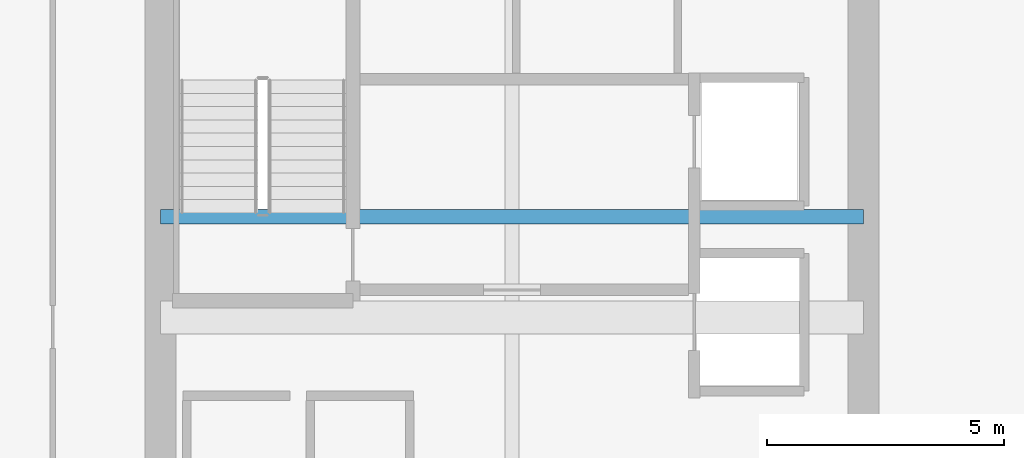
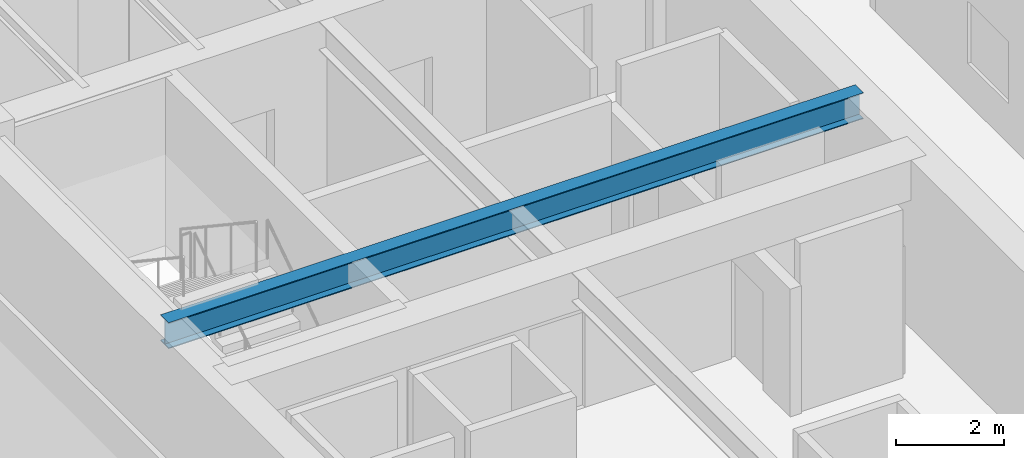
# One storey, part 9 of 33: 1 beam.
"""IFC4 building model written with IfcOpenShell, lengths in metres."""

from ifc_helpers import new_model, si_unit, direction, frame, origin, origin_2d, place, context, subcontext, project, spatial, i_section, extrude, source, transform, mapped, material, material_profile, profile_set, type_object, type_shapes, element, save


model = new_model("IFC4")

# Units and contexts
model_context = context("Model", 3, precision=1e-05, world=origin(), true_north=direction((0.0, 1.0)))
body_context = subcontext(model_context, "Body", "Model", "MODEL_VIEW")
ifc_project = project(units=[si_unit("LENGTHUNIT", "METRE"), si_unit("AREAUNIT", "SQUARE_METRE"), si_unit("VOLUMEUNIT", "CUBIC_METRE"), si_unit("PLANEANGLEUNIT", "RADIAN"), si_unit("MASSUNIT", "GRAM", prefix="KILO")], contexts=[model_context])

# Site, building, storey
site_placement = place(None, origin())
site = spatial("IfcSite", under=ifc_project, at=site_placement, CompositionType="ELEMENT")
building_placement = place(site_placement, origin())
building = spatial("IfcBuilding", under=site, at=building_placement, Name="Haelvirn Gate Laboratories", CompositionType="ELEMENT")
storey_placement = place(building_placement, frame((0.0, 0.0, 117.39990234375)))
storey = spatial("IfcBuildingStorey", under=building, at=storey_placement, Name="L28", CompositionType="ELEMENT", Elevation=117.39990234375)

# Beam
ifc_material = material(Name="Steel SM355", Category="steel")
ifc_material_profile = material_profile(ifc_material, i_section(OverallWidth=0.300048828125, OverallDepth=0.587890625, WebThickness=0.011962890625, FlangeThickness=0.02001953125, at=origin_2d()), Name="H-588x300x12x20")
ifc_profile_set = profile_set([ifc_material_profile], Name="Steel SM355")
beam_type = type_object("IfcBeamType", Name="BM-G-588", PredefinedType="BEAM", material=ifc_profile_set)
shared_shape = source(origin(), body_context, "Body", "SweptSolid", [
    extrude(i_section(OverallWidth=0.300048828125, OverallDepth=0.587890625, WebThickness=0.011962890625, FlangeThickness=0.02001953125, at=origin_2d()), origin(), (0.0, 0.0, 1.0), 14.800048828125),
])
type_shapes(beam_type, [shared_shape])
beam_placement = place(storey_placement, frame((7.39990234375, 26.6201171875, 3.49609375), z_axis=(1.0, 0.0, 0.0), x_axis=(0.0, 1.0, 0.0)))
element("IfcBeam", 1, at=beam_placement, inside=storey, type_object=beam_type, Name="L28 Stair ST1 Landing Header", PredefinedType="BEAM", context=body_context, shape_type="MappedRepresentation", body=[
    mapped(shared_shape, transform((0.0, 0.0, 0.0), scale=1.0)),
])

save(model, "model.ifc")
